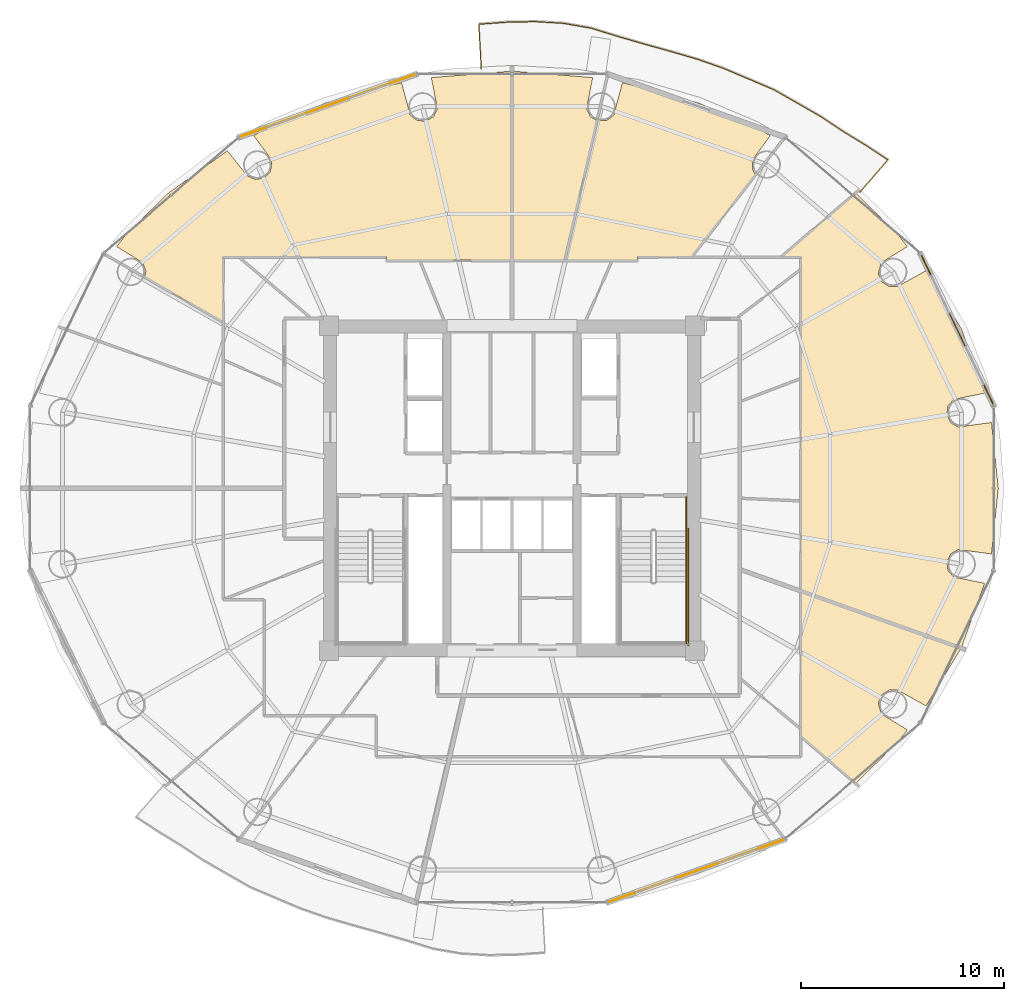
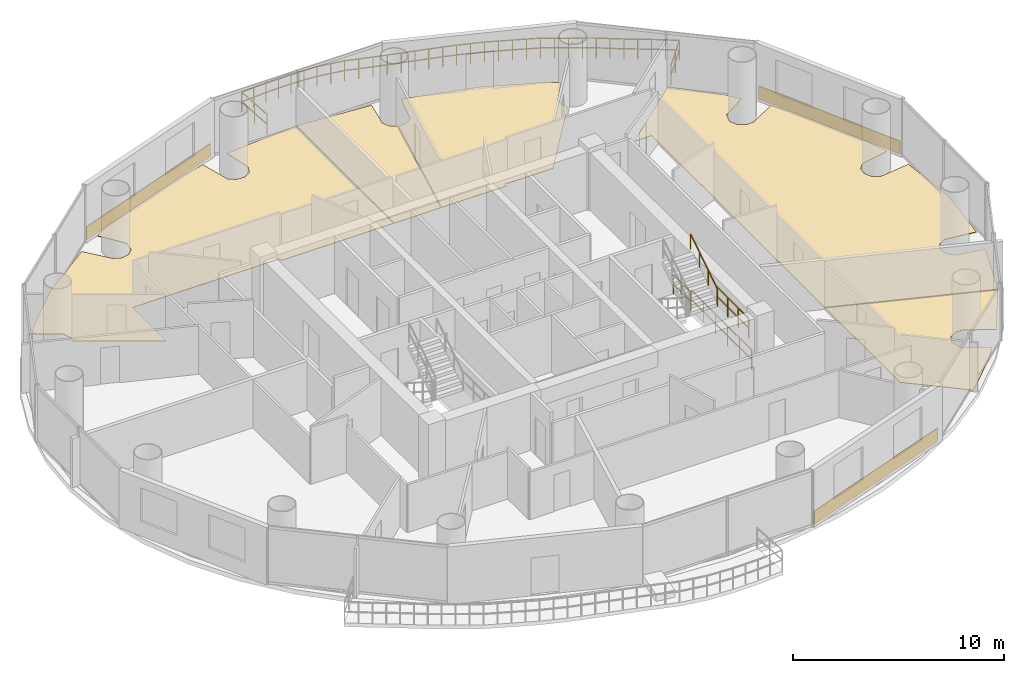
# One storey, part 26 of 26: 8 coverings, 5 railings.
"""IFC4 building model written with IfcOpenShell, lengths in metres."""

import ifcopenshell
import ifcopenshell.guid

model = None  # the IFC model being written
_history = None  # IfcOwnerHistory: only IFC2X3 demands one
_inside = {}  # id of a spatial element -> (the spatial element, [elements in it])
_under = {}  # id of a project, library or spatial element -> (it, [spatial elements below it])
_declared = {}  # id of a project -> (the project, [libraries it declares])
_typed = {}  # id of a type object -> (the type object, [elements of that type])
_made_of = {}  # id of a material, layer set ... -> (it, [elements and type objects made of it])


def new_model(schema):
    """Start an empty IFC model of exactly this schema.

    Asked for "IFC4X3", IfcOpenShell would pick the latest addendum, in which some entities
    have other attributes; the version numbers below select the first issue.
    IFC2X3 requires an IfcOwnerHistory on every rooted entity: one is made here for all.
    """
    global model, _history
    if schema == "IFC4X3":
        model = ifcopenshell.file(schema_version=(4, 3, 0, 0))
    else:
        model = ifcopenshell.file(schema=schema)
    _inside.clear()
    _under.clear()
    _declared.clear()
    _typed.clear()
    _made_of.clear()
    _history = None
    if model.schema == "IFC2X3":
        org = make("IfcOrganization", Name="unknown")
        user = make(
            "IfcPersonAndOrganization",
            ThePerson=make("IfcPerson", FamilyName="unknown"),
            TheOrganization=org,
        )
        app = make(
            "IfcApplication",
            ApplicationDeveloper=org,
            Version="unknown",
            ApplicationFullName="unknown",
            ApplicationIdentifier="unknown",
        )
        _history = make(
            "IfcOwnerHistory",
            OwningUser=user,
            OwningApplication=app,
            ChangeAction="ADDED",
            CreationDate=0,
        )
    return model


def make(cls, **values):
    """One entity of the class cls with the attributes given. An attribute that is None is left unset."""
    return model.create_entity(
        cls, **{name: value for name, value in values.items() if value is not None}
    )


def rooted(cls, **values):
    """An entity with a GlobalId (a new one), such as an element, a storey or a relation."""
    return make(cls, GlobalId=ifcopenshell.guid.new(), OwnerHistory=_history, **values)


def si_unit(unit_type, name, prefix=None):
    """IfcSIUnit, for example si_unit("LENGTHUNIT", "METRE", prefix="MILLI")."""
    return make("IfcSIUnit", UnitType=unit_type, Prefix=prefix, Name=name)


def assignment(units):
    """IfcUnitAssignment: the units of a project."""
    return None if units is None else make("IfcUnitAssignment", Units=units)


def point(xyz):
    """IfcCartesianPoint."""
    return None if xyz is None else make("IfcCartesianPoint", Coordinates=xyz)


def direction(xyz):
    """IfcDirection."""
    return None if xyz is None else make("IfcDirection", DirectionRatios=xyz)


def frame(location, z_axis=None, x_axis=None):
    """IfcAxis2Placement3D, a coordinate frame: its origin and axes. An axis left out is left unset."""
    return make(
        "IfcAxis2Placement3D",
        Location=point(location),
        Axis=direction(z_axis),
        RefDirection=direction(x_axis),
    )


def frame_2d(location, x_axis=None):
    """IfcAxis2Placement2D, a coordinate frame in the plane: its origin and x axis."""
    return make(
        "IfcAxis2Placement2D", Location=point(location), RefDirection=direction(x_axis)
    )


def origin():
    """The frame at (0, 0, 0) with its axes left unset."""
    return frame((0.0, 0.0, 0.0))


def origin_2d():
    """The frame at (0, 0) in the plane with its x axis left unset."""
    return frame_2d((0.0, 0.0))


def place(relative_to, where):
    """IfcLocalPlacement: puts the frame where relative to a parent placement (None: the world)."""
    return make(
        "IfcLocalPlacement", PlacementRelTo=relative_to, RelativePlacement=where
    )


def context(
    kind, dimensions, precision=None, world=None, true_north=None, identifier=None
):
    """IfcGeometricRepresentationContext, for example the 3D "Model" context."""
    return make(
        "IfcGeometricRepresentationContext",
        ContextIdentifier=identifier,
        ContextType=kind,
        CoordinateSpaceDimension=dimensions,
        Precision=precision,
        WorldCoordinateSystem=world,
        TrueNorth=true_north,
    )


def subcontext(parent, identifier, kind, view, scale=None):
    """IfcGeometricRepresentationSubContext, for example "Body" below "Model"."""
    return make(
        "IfcGeometricRepresentationSubContext",
        ContextIdentifier=identifier,
        ContextType=kind,
        ParentContext=parent,
        TargetScale=scale,
        TargetView=view,
    )


def project(units=None, contexts=None):
    """IfcProject with its units and contexts."""
    return rooted(
        "IfcProject",
        Name="project",
        RepresentationContexts=contexts,
        UnitsInContext=assignment(units),
    )


def spatial(cls, under=None, at=None, **own):
    """A site, building, storey or space (cls), placed at a placement, below another one or the project."""
    s = rooted(cls, ObjectPlacement=at, **own)
    if under is not None:
        _under.setdefault(under.id(), (under, []))[1].append(s)
    return s


def polyline(points):
    """IfcPolyline through the points."""
    return make("IfcPolyline", Points=[point(p) for p in points])


def profile(cls, at=None, kind="AREA", **sizes):
    """A parametric profile (cls). Its sizes go by their IFC names, for example OverallWidth=200.0."""
    return make(cls, ProfileType=kind, Position=at, **sizes)


def rectangle(**sizes):
    """IfcRectangleProfileDef."""
    return profile("IfcRectangleProfileDef", **sizes)


def outline(outer, holes=None, kind="AREA"):
    """IfcArbitraryClosedProfileDef: a profile drawn as a closed curve; with holes, ...WithVoids."""
    if holes is None:
        return make("IfcArbitraryClosedProfileDef", ProfileType=kind, OuterCurve=outer)
    return make(
        "IfcArbitraryProfileDefWithVoids",
        ProfileType=kind,
        OuterCurve=outer,
        InnerCurves=holes,
    )


def extrude(swept, where, along, depth):
    """IfcExtrudedAreaSolid: the profile swept, set in the frame where, extruded along a direction by depth."""
    return make(
        "IfcExtrudedAreaSolid",
        SweptArea=swept,
        Position=where,
        ExtrudedDirection=direction(along),
        Depth=depth,
    )


def shape(context_of_items, identifier, shape_type, items):
    """IfcShapeRepresentation: the items that make up one representation, for example the "Body"."""
    return make(
        "IfcShapeRepresentation",
        ContextOfItems=context_of_items,
        RepresentationIdentifier=identifier,
        RepresentationType=shape_type,
        Items=items,
    )


def source(mapping_origin, context_of_items, identifier, shape_type, items):
    """IfcRepresentationMap: a shape defined once, which mapped items show again and again."""
    return make(
        "IfcRepresentationMap",
        MappingOrigin=mapping_origin,
        MappedRepresentation=shape(context_of_items, identifier, shape_type, items),
    )


def transform(
    local_origin,
    x_axis=None,
    y_axis=None,
    z_axis=None,
    scale=None,
    scale2=None,
    scale3=None,
    uniform=True,
):
    """IfcCartesianTransformationOperator3D, or its non-uniform kind. x_axis, y_axis, z_axis: its Axis1, 2, 3."""
    if uniform:
        return make(
            "IfcCartesianTransformationOperator3D",
            Axis1=direction(x_axis),
            Axis2=direction(y_axis),
            LocalOrigin=point(local_origin),
            Scale=scale,
            Axis3=direction(z_axis),
        )
    return make(
        "IfcCartesianTransformationOperator3DnonUniform",
        Axis1=direction(x_axis),
        Axis2=direction(y_axis),
        LocalOrigin=point(local_origin),
        Scale=scale,
        Axis3=direction(z_axis),
        Scale2=scale2,
        Scale3=scale3,
    )


def mapped(mapping_source, mapping_target):
    """IfcMappedItem: shows the shape of a source again, moved by a transform."""
    return make(
        "IfcMappedItem", MappingSource=mapping_source, MappingTarget=mapping_target
    )


def material(Name=None, Category=None):
    """IfcMaterial."""
    return make("IfcMaterial", Name=Name, Category=Category)


def layer(
    of_material, thickness, ventilated=None, Name=None, Category=None, Priority=None
):
    """IfcMaterialLayer: one layer of a wall or slab, of a material (None: an air gap)."""
    return make(
        "IfcMaterialLayer",
        Material=of_material,
        LayerThickness=thickness,
        IsVentilated=ventilated,
        Name=Name,
        Category=Category,
        Priority=Priority,
    )


def layer_set(layers, Name=None):
    """IfcMaterialLayerSet."""
    return make("IfcMaterialLayerSet", MaterialLayers=layers, LayerSetName=Name)


def made_of(thing, what):
    """Note that an element or type object is made of a material, layer set ...; save() writes the relation."""
    if what is not None:
        _made_of.setdefault(what.id(), (what, []))[1].append(thing)
    return thing


def type_object(cls, material=None, **own):
    """A type object (cls), such as IfcWallType, which elements share."""
    return made_of(rooted(cls, **own), material)


def element(
    cls,
    number,
    at=None,
    inside=None,
    cuts=None,
    type_object=None,
    material=None,
    context=None,
    identifier="Body",
    shape_type=None,
    held_by="IfcProductDefinitionShape",
    body=None,
    shapes=None,
    **own,
):
    """One element of the class cls, such as IfcWall. Its Tag is "e" and its number.

    at: its placement. inside: the storey or other place that contains it. cuts: it is an
    opening in that element (IfcRelVoidsElement). A single representation is given by context,
    identifier, shape_type and body (its items); several are given by shapes. held_by: the class
    of the entity that holds the representations. save() writes the other relations.
    """
    e = rooted(cls, Tag="e%d" % number, ObjectPlacement=at, **own)
    if body is not None:
        shapes = [shape(context, identifier, shape_type, body)]
    if shapes is not None:
        e.Representation = make(held_by, Representations=shapes)
    if inside is not None:
        _inside.setdefault(inside.id(), (inside, []))[1].append(e)
    if cuts is not None:
        rooted(
            "IfcRelVoidsElement", RelatingBuildingElement=cuts, RelatedOpeningElement=e
        )
    if type_object is not None:
        _typed.setdefault(type_object.id(), (type_object, []))[1].append(e)
    return made_of(e, material)


def aggregate(whole, parts):
    """IfcRelAggregates: a whole, such as a stair, and the parts it consists of."""
    return rooted("IfcRelAggregates", RelatingObject=whole, RelatedObjects=parts)


def save(model, path):
    """Write the relations noted so far, then the file.

    IfcRelAggregates (storeys below a building ...), IfcRelContainedInSpatialStructure (elements
    in a storey), IfcRelDefinesByType, IfcRelAssociatesMaterial and IfcRelDeclares: one each for
    every whole, place, type object, material and project.
    """
    for whole, parts in _under.values():
        aggregate(whole, parts)
    for where, things in _inside.values():
        rooted(
            "IfcRelContainedInSpatialStructure",
            RelatedElements=things,
            RelatingStructure=where,
        )
    for kind, things in _typed.values():
        rooted("IfcRelDefinesByType", RelatedObjects=things, RelatingType=kind)
    for what, things in _made_of.values():
        rooted("IfcRelAssociatesMaterial", RelatedObjects=things, RelatingMaterial=what)
    for by, libraries in _declared.values():
        rooted("IfcRelDeclares", RelatingContext=by, RelatedDefinitions=libraries)
    model.write(path)


model = new_model("IFC4")

# Units and contexts
model_context = context("Model", 3, precision=1e-05, world=origin(), true_north=direction((-0.2419218956, 0.970295726276)))
body_context = subcontext(model_context, "Body", "Model", "MODEL_VIEW")
ifc_project = project(units=[si_unit("LENGTHUNIT", "METRE"), si_unit("AREAUNIT", "SQUARE_METRE"), si_unit("VOLUMEUNIT", "CUBIC_METRE"), si_unit("PLANEANGLEUNIT", "RADIAN"), si_unit("MASSUNIT", "GRAM", prefix="KILO")], contexts=[model_context])

# Site, building, storey
site_placement = place(None, origin())
site = spatial("IfcSite", under=ifc_project, at=site_placement, CompositionType="ELEMENT")
building_placement = place(site_placement, origin())
building = spatial("IfcBuilding", under=site, at=building_placement, Name="Cobrevalo Terracotta Tower", CompositionType="ELEMENT")
storey_placement = place(building_placement, frame((0.0, 0.0, 178.60009765625)))
storey = spatial("IfcBuildingStorey", under=building, at=storey_placement, Name="L47", CompositionType="ELEMENT", Elevation=178.60009765625)

# Railing
ifc_material_1 = material(Name="Laminated structural glass and stainless steel", Category="steel")
railing_type_1 = type_object("IfcRailingType", Name="Balcony lobe structural glass & terracotta-cap balustrade 1180 mm", PredefinedType="BALUSTRADE", material=ifc_material_1)
railing_1_placement = place(storey_placement, frame((55.124267578125, 41.370361328125, 0.0)))
element("IfcRailing", 1, at=railing_1_placement, inside=storey, type_object=railing_type_1, Name="L47 spiralling balcony lobe balustrade 1", PredefinedType="BALUSTRADE", context=body_context, shape_type="SweptSolid", body=[
    extrude(rectangle(XDim=0.048095703125, YDim=0.048095703125, at=origin_2d()), frame((0.0, 0.0, 1.15576171875), z_axis=(0.655849399072, 0.75489175763, 0.0), x_axis=(-0.75489175763, 0.655849399072, 0.0)), (0.0, 0.0, 1.0), 2.0927734375),
    extrude(rectangle(XDim=0.048095703125, YDim=0.048095703125, at=origin_2d()), frame((0.0, 0.0, 0.58984375), z_axis=(0.655849399072, 0.75489175763, 0.0), x_axis=(-0.75489175763, 0.655849399072, 0.0)), (0.0, 0.0, 1.0), 2.0927734375),
    extrude(rectangle(XDim=0.048095703125, YDim=0.048095703125, at=origin_2d()), frame((1.37255859375, 1.579833984375, 1.15576171875), z_axis=(-0.836601380435, 0.547812130437, 0.0), x_axis=(-0.547812130437, -0.836601380435, 0.0)), (0.0, 0.0, 1.0), 1.320556640625),
    extrude(rectangle(XDim=0.048095703125, YDim=0.048095703125, at=origin_2d()), frame((1.37255859375, 1.579833984375, 0.58984375), z_axis=(-0.836601380435, 0.547812130437, 0.0), x_axis=(-0.547812130437, -0.836601380435, 0.0)), (0.0, 0.0, 1.0), 1.320556640625),
    extrude(rectangle(XDim=0.048095703125, YDim=0.048095703125, at=origin_2d()), frame((0.267822265625, 2.30322265625, 1.15576171875), z_axis=(-0.852868190337, 0.522126277744, 0.0), x_axis=(-0.522126277744, -0.852868190337, 0.0)), (0.0, 0.0, 1.0), 1.31396484375),
    extrude(rectangle(XDim=0.048095703125, YDim=0.048095703125, at=origin_2d()), frame((0.267822265625, 2.30322265625, 0.58984375), z_axis=(-0.852868190337, 0.522126277744, 0.0), x_axis=(-0.522126277744, -0.852868190337, 0.0)), (0.0, 0.0, 1.0), 1.31396484375),
    extrude(rectangle(XDim=0.048095703125, YDim=0.048095703125, at=origin_2d()), frame((-0.852783203125, 2.9892578125, 1.15576171875), z_axis=(-0.832794108129, 0.553582851492, 0.0), x_axis=(-0.553582851492, -0.832794108129, 0.0)), (0.0, 0.0, 1.0), 1.3115234375),
    extrude(rectangle(XDim=0.048095703125, YDim=0.048095703125, at=origin_2d()), frame((-0.852783203125, 2.9892578125, 0.58984375), z_axis=(-0.832794108129, 0.553582851492, 0.0), x_axis=(-0.553582851492, -0.832794108129, 0.0)), (0.0, 0.0, 1.0), 1.3115234375),
    extrude(rectangle(XDim=0.048095703125, YDim=0.048095703125, at=origin_2d()), frame((-1.945068359375, 3.71533203125, 1.15576171875), z_axis=(-0.86689037543, 0.498498823456, 0.0), x_axis=(-0.498498823456, -0.86689037543, 0.0)), (0.0, 0.0, 1.0), 1.32470703125),
    extrude(rectangle(XDim=0.048095703125, YDim=0.048095703125, at=origin_2d()), frame((-1.945068359375, 3.71533203125, 0.58984375), z_axis=(-0.86689037543, 0.498498823456, 0.0), x_axis=(-0.498498823456, -0.86689037543, 0.0)), (0.0, 0.0, 1.0), 1.32470703125),
    extrude(rectangle(XDim=0.048095703125, YDim=0.048095703125, at=origin_2d()), frame((-3.093505859375, 4.375732421875, 1.15576171875), z_axis=(-0.86854943822, 0.495602535676, 0.0), x_axis=(-0.495602535676, -0.86854943822, 0.0)), (0.0, 0.0, 1.0), 1.32373046875),
    extrude(rectangle(XDim=0.048095703125, YDim=0.048095703125, at=origin_2d()), frame((-3.093505859375, 4.375732421875, 0.58984375), z_axis=(-0.86854943822, 0.495602535676, 0.0), x_axis=(-0.495602535676, -0.86854943822, 0.0)), (0.0, 0.0, 1.0), 1.32373046875),
    extrude(rectangle(XDim=0.048095703125, YDim=0.048095703125, at=origin_2d()), frame((-4.2431640625, 5.03173828125, 1.15576171875), z_axis=(-0.919858704265, 0.392249874683, 0.0), x_axis=(-0.392249874683, -0.919858704265, 0.0)), (0.0, 0.0, 1.0), 1.341796875),
    extrude(rectangle(XDim=0.048095703125, YDim=0.048095703125, at=origin_2d()), frame((-4.2431640625, 5.03173828125, 0.58984375), z_axis=(-0.919858704265, 0.392249874683, 0.0), x_axis=(-0.392249874683, -0.919858704265, 0.0)), (0.0, 0.0, 1.0), 1.341796875),
    extrude(rectangle(XDim=0.048095703125, YDim=0.048095703125, at=origin_2d()), frame((-5.4775390625, 5.55810546875, 1.15576171875), z_axis=(-0.921185749358, 0.389123136268, 0.0), x_axis=(-0.389123136268, -0.921185749358, 0.0)), (0.0, 0.0, 1.0), 1.3408203125),
    extrude(rectangle(XDim=0.048095703125, YDim=0.048095703125, at=origin_2d()), frame((-5.4775390625, 5.55810546875, 0.58984375), z_axis=(-0.921185749358, 0.389123136268, 0.0), x_axis=(-0.389123136268, -0.921185749358, 0.0)), (0.0, 0.0, 1.0), 1.3408203125),
    extrude(rectangle(XDim=0.048095703125, YDim=0.048095703125, at=origin_2d()), frame((-6.712646484375, 6.079833984375, 1.15576171875), z_axis=(-0.943844220324, 0.330390810649, 0.0), x_axis=(-0.330390810649, -0.943844220324, 0.0)), (0.0, 0.0, 1.0), 1.346435546875),
    extrude(rectangle(XDim=0.048095703125, YDim=0.048095703125, at=origin_2d()), frame((-6.712646484375, 6.079833984375, 0.58984375), z_axis=(-0.943844220324, 0.330390810649, 0.0), x_axis=(-0.330390810649, -0.943844220324, 0.0)), (0.0, 0.0, 1.0), 1.346435546875),
    extrude(rectangle(XDim=0.048095703125, YDim=0.048095703125, at=origin_2d()), frame((-7.9833984375, 6.524658203125, 1.15576171875), z_axis=(-0.959888925584, 0.280380545938, 0.0), x_axis=(-0.280380545938, -0.959888925584, 0.0)), (0.0, 0.0, 1.0), 1.35498046875),
    extrude(rectangle(XDim=0.048095703125, YDim=0.048095703125, at=origin_2d()), frame((-7.9833984375, 6.524658203125, 0.58984375), z_axis=(-0.959888925584, 0.280380545938, 0.0), x_axis=(-0.280380545938, -0.959888925584, 0.0)), (0.0, 0.0, 1.0), 1.35498046875),
    extrude(rectangle(XDim=0.048095703125, YDim=0.048095703125, at=origin_2d()), frame((-9.283935546875, 6.904541015625, 1.15576171875), z_axis=(-0.963292852462, 0.268452752633, 0.0), x_axis=(-0.268452752633, -0.963292852462, 0.0)), (0.0, 0.0, 1.0), 1.354248046875),
    extrude(rectangle(XDim=0.048095703125, YDim=0.048095703125, at=origin_2d()), frame((-9.283935546875, 6.904541015625, 0.58984375), z_axis=(-0.963292852462, 0.268452752633, 0.0), x_axis=(-0.268452752633, -0.963292852462, 0.0)), (0.0, 0.0, 1.0), 1.354248046875),
    extrude(rectangle(XDim=0.048095703125, YDim=0.048095703125, at=origin_2d()), frame((-10.58837890625, 7.26806640625, 1.15576171875), z_axis=(-0.960700475227, 0.277587097861, 0.0), x_axis=(-0.277587097861, -0.960700475227, 0.0)), (0.0, 0.0, 1.0), 1.3720703125),
    extrude(rectangle(XDim=0.048095703125, YDim=0.048095703125, at=origin_2d()), frame((-10.58837890625, 7.26806640625, 0.58984375), z_axis=(-0.960700475227, 0.277587097861, 0.0), x_axis=(-0.277587097861, -0.960700475227, 0.0)), (0.0, 0.0, 1.0), 1.3720703125),
    extrude(rectangle(XDim=0.048095703125, YDim=0.048095703125, at=origin_2d()), frame((-11.906494140625, 7.64892578125, 1.15576171875), z_axis=(-0.955177187561, 0.296034694527, 0.0), x_axis=(-0.296034694527, -0.955177187561, 0.0)), (0.0, 0.0, 1.0), 1.390380859375),
    extrude(rectangle(XDim=0.048095703125, YDim=0.048095703125, at=origin_2d()), frame((-11.906494140625, 7.64892578125, 0.58984375), z_axis=(-0.955177187561, 0.296034694527, 0.0), x_axis=(-0.296034694527, -0.955177187561, 0.0)), (0.0, 0.0, 1.0), 1.390380859375),
    extrude(rectangle(XDim=0.048095703125, YDim=0.048095703125, at=origin_2d()), frame((-13.234619140625, 8.060546875, 1.15576171875), z_axis=(-0.985113346046, 0.17190606575, 0.0), x_axis=(-0.17190606575, -0.985113346046, 0.0)), (0.0, 0.0, 1.0), 1.38623046875),
    extrude(rectangle(XDim=0.048095703125, YDim=0.048095703125, at=origin_2d()), frame((-13.234619140625, 8.060546875, 0.58984375), z_axis=(-0.985113346046, 0.17190606575, 0.0), x_axis=(-0.17190606575, -0.985113346046, 0.0)), (0.0, 0.0, 1.0), 1.38623046875),
    extrude(rectangle(XDim=0.048095703125, YDim=0.048095703125, at=origin_2d()), frame((-14.60009765625, 8.298828125, 1.15576171875), z_axis=(-0.998244550304, 0.059226833354, 0.0), x_axis=(-0.059226833354, -0.998244550304, 0.0)), (0.0, 0.0, 1.0), 1.38916015625),
    extrude(rectangle(XDim=0.048095703125, YDim=0.048095703125, at=origin_2d()), frame((-14.60009765625, 8.298828125, 0.58984375), z_axis=(-0.998244550304, 0.059226833354, 0.0), x_axis=(-0.059226833354, -0.998244550304, 0.0)), (0.0, 0.0, 1.0), 1.38916015625),
    extrude(rectangle(XDim=0.048095703125, YDim=0.048095703125, at=origin_2d()), frame((-15.98681640625, 8.381103515625, 1.15576171875), z_axis=(-0.999815920088, -0.019186608326, 0.0), x_axis=(0.019186608326, -0.999815920088, 0.0)), (0.0, 0.0, 1.0), 1.386962890625),
    extrude(rectangle(XDim=0.048095703125, YDim=0.048095703125, at=origin_2d()), frame((-15.98681640625, 8.381103515625, 0.58984375), z_axis=(-0.999815920088, -0.019186608326, 0.0), x_axis=(0.019186608326, -0.999815920088, 0.0)), (0.0, 0.0, 1.0), 1.386962890625),
    extrude(rectangle(XDim=0.048095703125, YDim=0.048095703125, at=origin_2d()), frame((-17.37353515625, 8.3544921875, 1.15576171875), z_axis=(-0.997311791358, -0.073274762488, 0.0), x_axis=(0.073274762488, -0.997311791358, 0.0)), (0.0, 0.0, 1.0), 1.385986328125),
    extrude(rectangle(XDim=0.048095703125, YDim=0.048095703125, at=origin_2d()), frame((-17.37353515625, 8.3544921875, 0.58984375), z_axis=(-0.997311791358, -0.073274762488, 0.0), x_axis=(0.073274762488, -0.997311791358, 0.0)), (0.0, 0.0, 1.0), 1.385986328125),
    extrude(rectangle(XDim=0.048095703125, YDim=0.048095703125, at=origin_2d()), frame((-18.755859375, 8.2529296875, 1.15576171875), z_axis=(0.054106724102, -0.998535158323, 0.0), x_axis=(0.998535158323, 0.054106724102, 0.0)), (0.0, 0.0, 1.0), 2.201904296875),
    extrude(rectangle(XDim=0.048095703125, YDim=0.048095703125, at=origin_2d()), frame((-18.755859375, 8.2529296875, 0.58984375), z_axis=(0.054106724102, -0.998535158323, 0.0), x_axis=(0.998535158323, 0.054106724102, 0.0)), (0.0, 0.0, 1.0), 2.201904296875),
    extrude(rectangle(XDim=0.0419921875, YDim=0.0419921875, at=origin_2d()), origin(), (0.0, 0.0, 1.0), 1.1318359375),
    extrude(rectangle(XDim=0.0419921875, YDim=0.0419921875, at=origin_2d()), frame((0.686279296875, 0.7900390625, 0.0)), (0.0, 0.0, 1.0), 1.1318359375),
    extrude(rectangle(XDim=0.0419921875, YDim=0.0419921875, at=origin_2d()), frame((1.37255859375, 1.579833984375, 0.0)), (0.0, 0.0, 1.0), 1.1318359375),
    extrude(rectangle(XDim=0.0419921875, YDim=0.0419921875, at=origin_2d()), frame((0.8203125, 1.94140625, 0.0)), (0.0, 0.0, 1.0), 1.1318359375),
    extrude(rectangle(XDim=0.0419921875, YDim=0.0419921875, at=origin_2d()), frame((0.267822265625, 2.30322265625, 0.0)), (0.0, 0.0, 1.0), 1.1318359375),
    extrude(rectangle(XDim=0.0419921875, YDim=0.0419921875, at=origin_2d()), frame((-0.29248046875, 2.646240234375, 0.0)), (0.0, 0.0, 1.0), 1.1318359375),
    extrude(rectangle(XDim=0.0419921875, YDim=0.0419921875, at=origin_2d()), frame((-0.852783203125, 2.9892578125, 0.0)), (0.0, 0.0, 1.0), 1.1318359375),
    extrude(rectangle(XDim=0.0419921875, YDim=0.0419921875, at=origin_2d()), frame((-1.39892578125, 3.352294921875, 0.0)), (0.0, 0.0, 1.0), 1.1318359375),
    extrude(rectangle(XDim=0.0419921875, YDim=0.0419921875, at=origin_2d()), frame((-1.945068359375, 3.71533203125, 0.0)), (0.0, 0.0, 1.0), 1.1318359375),
    extrude(rectangle(XDim=0.0419921875, YDim=0.0419921875, at=origin_2d()), frame((-2.519287109375, 4.04541015625, 0.0)), (0.0, 0.0, 1.0), 1.1318359375),
    extrude(rectangle(XDim=0.0419921875, YDim=0.0419921875, at=origin_2d()), frame((-3.093505859375, 4.375732421875, 0.0)), (0.0, 0.0, 1.0), 1.1318359375),
    extrude(rectangle(XDim=0.0419921875, YDim=0.0419921875, at=origin_2d()), frame((-3.66845703125, 4.70361328125, 0.0)), (0.0, 0.0, 1.0), 1.1318359375),
    extrude(rectangle(XDim=0.0419921875, YDim=0.0419921875, at=origin_2d()), frame((-4.2431640625, 5.03173828125, 0.0)), (0.0, 0.0, 1.0), 1.1318359375),
    extrude(rectangle(XDim=0.0419921875, YDim=0.0419921875, at=origin_2d()), frame((-4.8603515625, 5.294921875, 0.0)), (0.0, 0.0, 1.0), 1.1318359375),
    extrude(rectangle(XDim=0.0419921875, YDim=0.0419921875, at=origin_2d()), frame((-5.4775390625, 5.55810546875, 0.0)), (0.0, 0.0, 1.0), 1.1318359375),
    extrude(rectangle(XDim=0.0419921875, YDim=0.0419921875, at=origin_2d()), frame((-6.09521484375, 5.81884765625, 0.0)), (0.0, 0.0, 1.0), 1.1318359375),
    extrude(rectangle(XDim=0.0419921875, YDim=0.0419921875, at=origin_2d()), frame((-6.712646484375, 6.079833984375, 0.0)), (0.0, 0.0, 1.0), 1.1318359375),
    extrude(rectangle(XDim=0.0419921875, YDim=0.0419921875, at=origin_2d()), frame((-7.34814453125, 6.30224609375, 0.0)), (0.0, 0.0, 1.0), 1.1318359375),
    extrude(rectangle(XDim=0.0419921875, YDim=0.0419921875, at=origin_2d()), frame((-7.9833984375, 6.524658203125, 0.0)), (0.0, 0.0, 1.0), 1.1318359375),
    extrude(rectangle(XDim=0.0419921875, YDim=0.0419921875, at=origin_2d()), frame((-8.6337890625, 6.714599609375, 0.0)), (0.0, 0.0, 1.0), 1.1318359375),
    extrude(rectangle(XDim=0.0419921875, YDim=0.0419921875, at=origin_2d()), frame((-9.283935546875, 6.904541015625, 0.0)), (0.0, 0.0, 1.0), 1.1318359375),
    extrude(rectangle(XDim=0.0419921875, YDim=0.0419921875, at=origin_2d()), frame((-9.93603515625, 7.08642578125, 0.0)), (0.0, 0.0, 1.0), 1.1318359375),
    extrude(rectangle(XDim=0.0419921875, YDim=0.0419921875, at=origin_2d()), frame((-10.58837890625, 7.26806640625, 0.0)), (0.0, 0.0, 1.0), 1.1318359375),
    extrude(rectangle(XDim=0.0419921875, YDim=0.0419921875, at=origin_2d()), frame((-11.24755859375, 7.45849609375, 0.0)), (0.0, 0.0, 1.0), 1.1318359375),
    extrude(rectangle(XDim=0.0419921875, YDim=0.0419921875, at=origin_2d()), frame((-11.906494140625, 7.64892578125, 0.0)), (0.0, 0.0, 1.0), 1.1318359375),
    extrude(rectangle(XDim=0.0419921875, YDim=0.0419921875, at=origin_2d()), frame((-12.570556640625, 7.854736328125, 0.0)), (0.0, 0.0, 1.0), 1.1318359375),
    extrude(rectangle(XDim=0.0419921875, YDim=0.0419921875, at=origin_2d()), frame((-13.234619140625, 8.060546875, 0.0)), (0.0, 0.0, 1.0), 1.1318359375),
    extrude(rectangle(XDim=0.0419921875, YDim=0.0419921875, at=origin_2d()), frame((-13.91748046875, 8.1796875, 0.0)), (0.0, 0.0, 1.0), 1.1318359375),
    extrude(rectangle(XDim=0.0419921875, YDim=0.0419921875, at=origin_2d()), frame((-14.60009765625, 8.298828125, 0.0)), (0.0, 0.0, 1.0), 1.1318359375),
    extrude(rectangle(XDim=0.0419921875, YDim=0.0419921875, at=origin_2d()), frame((-15.29345703125, 8.33984375, 0.0)), (0.0, 0.0, 1.0), 1.1318359375),
    extrude(rectangle(XDim=0.0419921875, YDim=0.0419921875, at=origin_2d()), frame((-15.98681640625, 8.381103515625, 0.0)), (0.0, 0.0, 1.0), 1.1318359375),
    extrude(rectangle(XDim=0.0419921875, YDim=0.0419921875, at=origin_2d()), frame((-16.68017578125, 8.36767578125, 0.0)), (0.0, 0.0, 1.0), 1.1318359375),
    extrude(rectangle(XDim=0.0419921875, YDim=0.0419921875, at=origin_2d()), frame((-17.37353515625, 8.3544921875, 0.0)), (0.0, 0.0, 1.0), 1.1318359375),
    extrude(rectangle(XDim=0.0419921875, YDim=0.0419921875, at=origin_2d()), frame((-18.064697265625, 8.3037109375, 0.0)), (0.0, 0.0, 1.0), 1.1318359375),
    extrude(rectangle(XDim=0.0419921875, YDim=0.0419921875, at=origin_2d()), frame((-18.755859375, 8.2529296875, 0.0)), (0.0, 0.0, 1.0), 1.1318359375),
    extrude(rectangle(XDim=0.0419921875, YDim=0.0419921875, at=origin_2d()), frame((-18.6962890625, 7.153564453125, 0.0)), (0.0, 0.0, 1.0), 1.1318359375),
    extrude(rectangle(XDim=0.0419921875, YDim=0.0419921875, at=origin_2d()), frame((-18.63671875, 6.05419921875, 0.0)), (0.0, 0.0, 1.0), 1.1318359375),
])

# Coverings
ifc_material_2 = material(Name="Engineered Brazilian hardwood flooring", Category="wood")
ifc_layer_1 = layer(ifc_material_2, 0.028076171875)
ifc_layer_set_1 = layer_set([ifc_layer_1], Name="Engineered Brazilian hardwood flooring")
covering_type_1 = type_object("IfcCoveringType", Name="Engineered Hardwood Suite Flooring 28", PredefinedType="FLOORING", material=ifc_layer_set_1)
covering_1_placement = place(storey_placement, origin())
element("IfcCovering", 2, at=covering_1_placement, inside=storey, type_object=covering_type_1, Name="Flat L47A Penthouse Living and Dining Room floor finish", PredefinedType="FLOORING", context=body_context, shape_type="SweptSolid", body=[
    extrude(outline(polyline([(51.26513671875, 38.175048828125), (54.9111328125, 41.308837890625), (56.97802734375, 39.29052734375), (57.448486328125, 38.6865234375), (56.165771484375, 37.89404296875), (56.01513671875, 37.34814453125), (56.189697265625, 36.955322265625), (56.552734375, 36.725830078125), (56.982177734375, 36.736572265625), (58.367431640625, 37.50634765625), (60.099609375, 34.651611328125), (61.251708984375, 31.478271484375), (59.7236328125, 31.1630859375), (59.44140625, 30.8388671875), (59.386962890625, 30.41259765625), (59.578369140625, 30.028076171875), (59.951416015625, 29.814697265625), (61.58642578125, 30.03369140625), (61.919921875, 26.800048828125), (61.58642578125, 23.566162109375), (59.951416015625, 23.785400390625), (59.578369140625, 23.572021484375), (59.386962890625, 23.187255859375), (59.44140625, 22.760986328125), (59.7236328125, 22.43701171875), (61.251708984375, 22.121826171875), (60.101318359375, 18.95263671875), (52.22509765625, 21.7568359375), (52.22509765625, 38.175048828125), (51.26513671875, 38.175048828125)])), origin(), (0.0, 0.0, 1.0), 0.02978515625),
])
covering_2_placement = place(storey_placement, origin())
element("IfcCovering", 3, at=covering_2_placement, inside=storey, type_object=covering_type_1, Name="Flat L47A Penthouse Family Lounge floor finish", PredefinedType="FLOORING", context=body_context, shape_type="SweptSolid", body=[
    extrude(outline(polyline([(44.175048828125, 38.014892578125), (40.615966796875, 38.014892578125), (42.203369140625, 44.873779296875), (42.6591796875, 44.88916015625), (43.00048828125, 45.150390625), (43.432861328125, 46.75), (47.15478515625, 45.757568359375), (49.961181640625, 44.5703125), (50.704833984375, 44.143798828125), (49.815673828125, 42.9228515625), (49.824462890625, 42.4931640625), (49.97509765625, 42.236572265625), (46.817626953125, 38.175048828125), (44.175048828125, 38.175048828125), (44.175048828125, 38.014892578125)])), origin(), (0.0, 0.0, 1.0), 0.02978515625),
])
covering_3_placement = place(storey_placement, origin())
element("IfcCovering", 4, at=covering_3_placement, inside=storey, type_object=covering_type_1, Name="Flat L47A Penthouse Family Lounge floor finish", PredefinedType="FLOORING", context=body_context, shape_type="SweptSolid", body=[
    extrude(outline(polyline([(38.02001953125, 47.31884765625), (41.97119140625, 46.99951171875), (41.6689453125, 45.462158203125), (41.858642578125, 45.07666015625), (42.16455078125, 44.8837890625), (40.574951171875, 38.014892578125), (38.02001953125, 38.014892578125), (38.02001953125, 47.31884765625)])), origin(), (0.0, 0.0, 1.0), 0.02978515625),
])
covering_4_placement = place(storey_placement, origin())
element("IfcCovering", 5, at=covering_4_placement, inside=storey, type_object=covering_type_1, Name="Flat L47B Penthouse Living and Dining Room floor finish", PredefinedType="FLOORING", context=body_context, shape_type="SweptSolid", body=[
    extrude(outline(polyline([(21.0849609375, 41.308837890625), (23.99755859375, 43.39990234375), (24.99072265625, 42.160400390625), (25.38427734375, 41.98779296875), (25.807373046875, 42.06298828125), (26.1171875, 42.3603515625), (26.184326171875, 42.9228515625), (25.295166015625, 44.143798828125), (26.038818359375, 44.5703125), (28.84521484375, 45.757568359375), (32.567138671875, 46.75), (32.99951171875, 45.150390625), (33.3408203125, 44.88916015625), (33.76953125, 44.861328125), (34.141357421875, 45.07666015625), (34.3310546875, 45.462158203125), (34.02880859375, 46.99951171875), (37.97998046875, 47.31884765625), (37.97998046875, 38.014892578125), (31.824951171875, 38.014892578125), (31.824951171875, 38.175048828125), (23.77490234375, 38.175048828125), (23.77490234375, 34.992431640625), (19.94384765625, 37.192626953125), (19.988525390625, 37.4931640625), (19.834228515625, 37.89404296875), (18.551513671875, 38.6865234375), (19.02197265625, 39.29052734375), (21.0849609375, 41.308837890625)])), origin(), (0.0, 0.0, 1.0), 0.02978515625),
])
covering_5_placement = place(storey_placement, origin())
element("IfcCovering", 6, at=covering_5_placement, inside=storey, type_object=covering_type_1, Name="Flat L47D Penthouse Family Lounge floor finish", PredefinedType="FLOORING", context=body_context, shape_type="SweptSolid", body=[
    extrude(outline(polyline([(54.9111328125, 12.291015625), (52.22509765625, 14.599853515625), (52.22509765625, 21.71435546875), (60.081787109375, 18.917236328125), (58.367431640625, 16.09375), (56.982177734375, 16.863525390625), (56.552734375, 16.874267578125), (56.189697265625, 16.64453125), (56.01513671875, 16.251953125), (56.165771484375, 15.705810546875), (57.448486328125, 14.91357421875), (56.97802734375, 14.309326171875), (54.9111328125, 12.291015625)])), origin(), (0.0, 0.0, 1.0), 0.02978515625),
])

# Railings
ifc_material_3 = material(Name="Brushed stainless steel", Category="steel")
railing_type_2 = type_object("IfcRailingType", Name="Stainless Steel Stair Handrail 900", PredefinedType="HANDRAIL", material=ifc_material_3)
railing_2_placement = place(storey_placement, frame((46.574951171875, 22.179931640625, 1.97998046875)))
element("IfcRailing", 7, at=railing_2_placement, inside=storey, type_object=railing_type_2, Name="L47 ST-2 stair handrail 2", PredefinedType="HANDRAIL", context=body_context, shape_type="SweptSolid", body=[
    extrude(rectangle(XDim=0.048095703125, YDim=0.048095703125, at=origin_2d()), frame((0.0, 0.0, 0.8759765625), z_axis=(0.0, 0.841199657755, 0.540724639528), x_axis=(-1.0, 0.0, 0.0)), (0.0, 0.0, 1.0), 2.995849609375),
    extrude(rectangle(XDim=0.0419921875, YDim=0.0419921875, at=origin_2d()), origin(), (0.0, 0.0, 1.0), 0.851806640625),
    extrude(rectangle(XDim=0.0419921875, YDim=0.0419921875, at=origin_2d()), frame((0.0, 0.840087890625, 0.5400390625)), (0.0, 0.0, 1.0), 0.851806640625),
    extrude(rectangle(XDim=0.0419921875, YDim=0.0419921875, at=origin_2d()), frame((0.0, 1.679931640625, 1.079833984375)), (0.0, 0.0, 1.0), 0.851806640625),
    extrude(rectangle(XDim=0.0419921875, YDim=0.0419921875, at=origin_2d()), frame((0.0, 2.52001953125, 1.619873046875)), (0.0, 0.0, 1.0), 0.851806640625),
])
ifc_material_4 = material(Name="Painted galvanized steel", Category="steel")
railing_type_3 = type_object("IfcRailingType", Name="Stair Well Guard Balustrade 1150", PredefinedType="GUARDRAIL", material=ifc_material_4)
railing_3_placement = place(storey_placement, frame((46.574951171875, 22.179931640625, 1.7998046875)))
element("IfcRailing", 8, at=railing_3_placement, inside=storey, type_object=railing_type_3, Name="L47 ST-2 stair guard 4", PredefinedType="GUARDRAIL", context=body_context, shape_type="SweptSolid", body=[
    extrude(rectangle(XDim=0.048095703125, YDim=0.048095703125, at=origin_2d()), frame((0.0, 0.0, 1.1259765625), z_axis=(0.0, -1.0, 0.0), x_axis=(1.0, 0.0, 0.0)), (0.0, 0.0, 1.0), 3.0048828125),
    extrude(rectangle(XDim=0.048095703125, YDim=0.048095703125, at=origin_2d()), frame((0.0, 0.0, 0.574951171875), z_axis=(0.0, -1.0, 0.0), x_axis=(1.0, 0.0, 0.0)), (0.0, 0.0, 1.0), 3.0048828125),
    extrude(rectangle(XDim=0.0419921875, YDim=0.0419921875, at=origin_2d()), origin(), (0.0, 0.0, 1.0), 1.101806640625),
    extrude(rectangle(XDim=0.0419921875, YDim=0.0419921875, at=origin_2d()), frame((0.0, -1.001708984375, 0.0)), (0.0, 0.0, 1.0), 1.101806640625),
    extrude(rectangle(XDim=0.0419921875, YDim=0.0419921875, at=origin_2d()), frame((0.0, -2.003173828125, 0.0)), (0.0, 0.0, 1.0), 1.101806640625),
    extrude(rectangle(XDim=0.0419921875, YDim=0.0419921875, at=origin_2d()), frame((0.0, -3.0048828125, 0.0)), (0.0, 0.0, 1.0), 1.101806640625),
])
railing_4_placement = place(storey_placement, frame((46.574951171875, 26.35009765625, 0.0)))
element("IfcRailing", 9, at=railing_4_placement, inside=storey, type_object=railing_type_3, Name="L47 ST-2 stair guard 9", PredefinedType="GUARDRAIL", context=body_context, shape_type="SweptSolid", body=[
    extrude(rectangle(XDim=0.048095703125, YDim=0.048095703125, at=origin_2d()), frame((0.0, 0.0, 1.1259765625), z_axis=(0.0, -1.0, 0.0), x_axis=(1.0, 0.0, 0.0)), (0.0, 0.0, 1.0), 1.650146484375),
    extrude(rectangle(XDim=0.048095703125, YDim=0.048095703125, at=origin_2d()), frame((0.0, 0.0, 0.574951171875), z_axis=(0.0, -1.0, 0.0), x_axis=(1.0, 0.0, 0.0)), (0.0, 0.0, 1.0), 1.650146484375),
    extrude(rectangle(XDim=0.0419921875, YDim=0.0419921875, at=origin_2d()), origin(), (0.0, 0.0, 1.0), 1.101806640625),
    extrude(rectangle(XDim=0.0419921875, YDim=0.0419921875, at=origin_2d()), frame((0.0, -0.8251953125, 0.0)), (0.0, 0.0, 1.0), 1.101806640625),
    extrude(rectangle(XDim=0.0419921875, YDim=0.0419921875, at=origin_2d()), frame((0.0, -1.650146484375, 0.0)), (0.0, 0.0, 1.0), 1.101806640625),
])
railing_5_placement = place(storey_placement, frame((46.675048828125, 24.800048828125, 0.0)))
element("IfcRailing", 10, at=railing_5_placement, inside=storey, type_object=railing_type_3, Name="L47 ST-2 stair guard 11", PredefinedType="GUARDRAIL", context=body_context, shape_type="SweptSolid", body=[
    extrude(rectangle(XDim=0.048095703125, YDim=0.048095703125, at=origin_2d()), frame((0.0, 0.0, 1.1259765625), z_axis=(0.0, -1.0, 0.0), x_axis=(1.0, 0.0, 0.0)), (0.0, 0.0, 1.0), 5.72509765625),
    extrude(rectangle(XDim=0.048095703125, YDim=0.048095703125, at=origin_2d()), frame((0.0, 0.0, 0.574951171875), z_axis=(0.0, -1.0, 0.0), x_axis=(1.0, 0.0, 0.0)), (0.0, 0.0, 1.0), 5.72509765625),
    extrude(rectangle(XDim=0.0419921875, YDim=0.0419921875, at=origin_2d()), origin(), (0.0, 0.0, 1.0), 1.101806640625),
    extrude(rectangle(XDim=0.0419921875, YDim=0.0419921875, at=origin_2d()), frame((0.0, -1.14501953125, 0.0)), (0.0, 0.0, 1.0), 1.101806640625),
    extrude(rectangle(XDim=0.0419921875, YDim=0.0419921875, at=origin_2d()), frame((0.0, -2.2900390625, 0.0)), (0.0, 0.0, 1.0), 1.101806640625),
    extrude(rectangle(XDim=0.0419921875, YDim=0.0419921875, at=origin_2d()), frame((0.0, -3.43505859375, 0.0)), (0.0, 0.0, 1.0), 1.101806640625),
    extrude(rectangle(XDim=0.0419921875, YDim=0.0419921875, at=origin_2d()), frame((0.0, -4.580078125, 0.0)), (0.0, 0.0, 1.0), 1.101806640625),
    extrude(rectangle(XDim=0.0419921875, YDim=0.0419921875, at=origin_2d()), frame((0.0, -5.72509765625, 0.0)), (0.0, 0.0, 1.0), 1.101806640625),
])

# Coverings
ifc_material_5 = material(Name="Glazed terracotta facade cladding tile", Category="masonry")
ifc_layer_2 = layer(ifc_material_5, 0.044921875)
ifc_layer_set_2 = layer_set([ifc_layer_2], Name="Glazed terracotta facade cladding tile")
covering_type_2 = type_object("IfcCoveringType", Name="Architectural terracotta rainscreen spandrel cladding 45 mm", PredefinedType="CLADDING", material=ifc_layer_set_2)
shared_shape_1 = source(origin(), body_context, "Body", "SweptSolid", [
    extrude(rectangle(XDim=8.111572265625, YDim=0.044921875, at=origin_2d()), origin(), (0.0, 0.0, 1.0), 0.760009765625),
])
covering_6_placement = place(storey_placement, frame((59.901123046875, 34.595703125, 0.0400390625), z_axis=(0.0, 0.0, 1.0), x_axis=(-0.434209440271, 0.900811945957, 0.0)))
element("IfcCovering", 11, at=covering_6_placement, inside=storey, type_object=covering_type_2, Name="L47 terracotta spandrel cladding S01", PredefinedType="CLADDING", context=body_context, shape_type="MappedRepresentation", body=[
    mapped(shared_shape_1, transform((0.0, 0.0, 0.0), scale=1.0)),
])
shared_shape_2 = source(origin(), body_context, "Body", "SweptSolid", [
    extrude(rectangle(XDim=9.04833984375, YDim=0.044921875, at=origin_2d()), origin(), (0.0, 0.0, 1.0), 0.760009765625),
])
for number, where, z_axis, x_axis, name in (
    (12, (28.92822265625, 45.620361328125, 0.0400390625), (0.0, 0.0, 1.0), (-0.942098428897, -0.335336473217, 0.0), "L47 terracotta spandrel cladding S05"),
    (13, (47.07177734375, 7.979736328125, 0.0400390625), (0.0, 0.0, 1.0), (0.942098428897, 0.335336473217, 0.0), "L47 terracotta spandrel cladding S13"),
):
    element("IfcCovering", number, at=place(storey_placement, frame(where, z_axis=z_axis, x_axis=x_axis)), inside=storey, type_object=covering_type_2, Name=name, PredefinedType="CLADDING", context=body_context, shape_type="MappedRepresentation", body=[
        mapped(shared_shape_2, transform((0.0, 0.0, 0.0), scale=1.0)),
    ])

save(model, "model.ifc")
